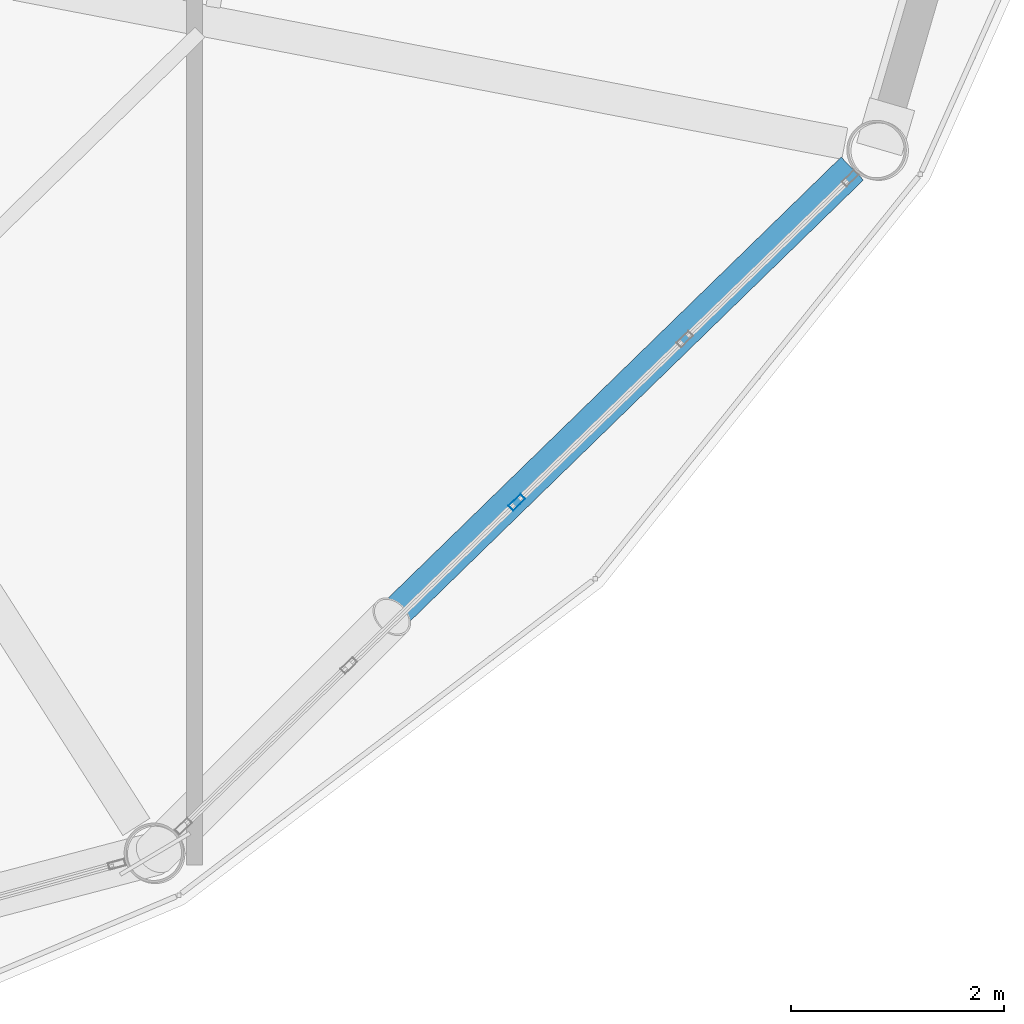
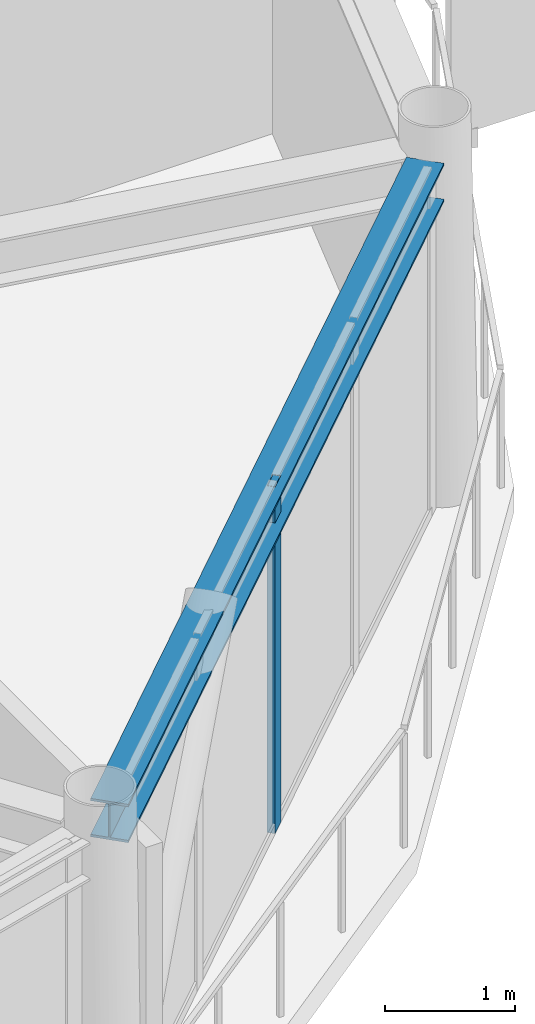
# One storey, part 9 of 28: 1 beam, 1 member, 1 element without a shape of its own.
"""IFC4 building model written with IfcOpenShell, lengths in metres."""

from ifc_helpers import new_model, si_unit, direction, frame, origin, origin_2d, place, context, subcontext, project, spatial, hollow_rectangle, i_section, extrude, material, layer, layer_set, material_profile, profile_set, type_object, element, aggregate, save


model = new_model("IFC4")

# Units and contexts
model_context = context("Model", 3, precision=1e-05, world=origin(), true_north=direction((0.0, 1.0)))
body_context = subcontext(model_context, "Body", "Model", "MODEL_VIEW")
ifc_project = project(units=[si_unit("LENGTHUNIT", "METRE"), si_unit("AREAUNIT", "SQUARE_METRE"), si_unit("VOLUMEUNIT", "CUBIC_METRE"), si_unit("PLANEANGLEUNIT", "RADIAN"), si_unit("MASSUNIT", "GRAM", prefix="KILO")], contexts=[model_context])

# Site, building, storey
site_placement = place(None, origin())
site = spatial("IfcSite", under=ifc_project, at=site_placement, CompositionType="ELEMENT")
building_placement = place(site_placement, origin())
building = spatial("IfcBuilding", under=site, at=building_placement, Name="Varnakorn Sky Granary", CompositionType="ELEMENT")
storey_placement = place(building_placement, frame((0.0, 0.0, 236.39990234375)))
storey = spatial("IfcBuildingStorey", under=building, at=storey_placement, Name="L60", CompositionType="ELEMENT", Elevation=236.39990234375)

# Beam
ifc_material_1 = material(Name="Steel S355JR", Category="steel")
ifc_material_profile_1 = material_profile(ifc_material_1, i_section(OverallWidth=0.300048828125, OverallDepth=0.360107421875, WebThickness=0.012451171875, FlangeThickness=0.0224609375, at=origin_2d()), Name="HE 360 B")
ifc_profile_set_1 = profile_set([ifc_material_profile_1], Name="Steel S355JR")
beam_type = type_object("IfcBeamType", Name="BM-SPD-Z5", PredefinedType="SPANDREL", material=ifc_profile_set_1)
beam_placement = place(storey_placement, frame((14.28759765625, -15.408203125, 3.070068359375), z_axis=(0.716555074358, 0.697530519341, 0.0), x_axis=(-0.697530519341, 0.716555074358, 0.0)))
element("IfcBeam", 1, at=beam_placement, inside=storey, type_object=beam_type, Name="Perimeter Spandrel Ring Beam RB11 L60", PredefinedType="SPANDREL", context=body_context, shape_type="SweptSolid", body=[
    extrude(i_section(OverallWidth=0.300048828125, OverallDepth=0.360107421875, WebThickness=0.012451171875, FlangeThickness=0.0224609375, at=origin_2d()), origin(), (0.0, 0.0, 1.0), 8.9189453125),
])

# Curtain wall, member
ifc_material_2 = material(Name="Anodised Bronze Aluminium Alloy 6063-T6", Category="aluminium")
ifc_layer = layer(ifc_material_2, 0.159912109375, Name="Anodised Bronze Aluminium Alloy 6063-T6")
ifc_layer_set = layer_set([ifc_layer], Name="Anodised Bronze Aluminium Alloy 6063-T6")
curtain_wall_type = type_object("IfcCurtainWallType", Name="CW-OFF-1", PredefinedType="USERDEFINED", material=ifc_layer_set)
curtain_wall_placement = place(storey_placement, origin())
curtain_wall = element("IfcCurtainWall", 2, at=curtain_wall_placement, inside=storey, type_object=curtain_wall_type, Name="Unitised Curtain Wall CW6 CW-L60-B11", ObjectType="CURTAIN WALL", PredefinedType="USERDEFINED")
ifc_material_profile_2 = material_profile(ifc_material_2, hollow_rectangle(XDim=0.06494140625, YDim=0.159912109375, WallThickness=0.00341796875, at=origin_2d()), Name="ALU MULL 65x160")
ifc_profile_set_2 = profile_set([ifc_material_profile_2], Name="Anodised Bronze Aluminium Alloy 6063-T6")
member_type = type_object("IfcMemberType", Name="CW-OFF-1-MULL", PredefinedType="MULLION", material=ifc_profile_set_2)
member_placement = place(storey_placement, frame((17.52880859375, -12.32080078125, 0.0), z_axis=(0.0, 0.0, 1.0), x_axis=(0.69691520137, -0.717153541509, 0.0)))
member = element("IfcMember", 3, at=member_placement, type_object=member_type, Name="CW6 mullion 3", PredefinedType="MULLION", context=body_context, shape_type="SweptSolid", body=[
    extrude(hollow_rectangle(XDim=0.06494140625, YDim=0.159912109375, WallThickness=0.00341796875, at=origin_2d()), origin(), (0.0, 0.0, 1.0), 3.25),
])
aggregate(curtain_wall, [member])

save(model, "model.ifc")
